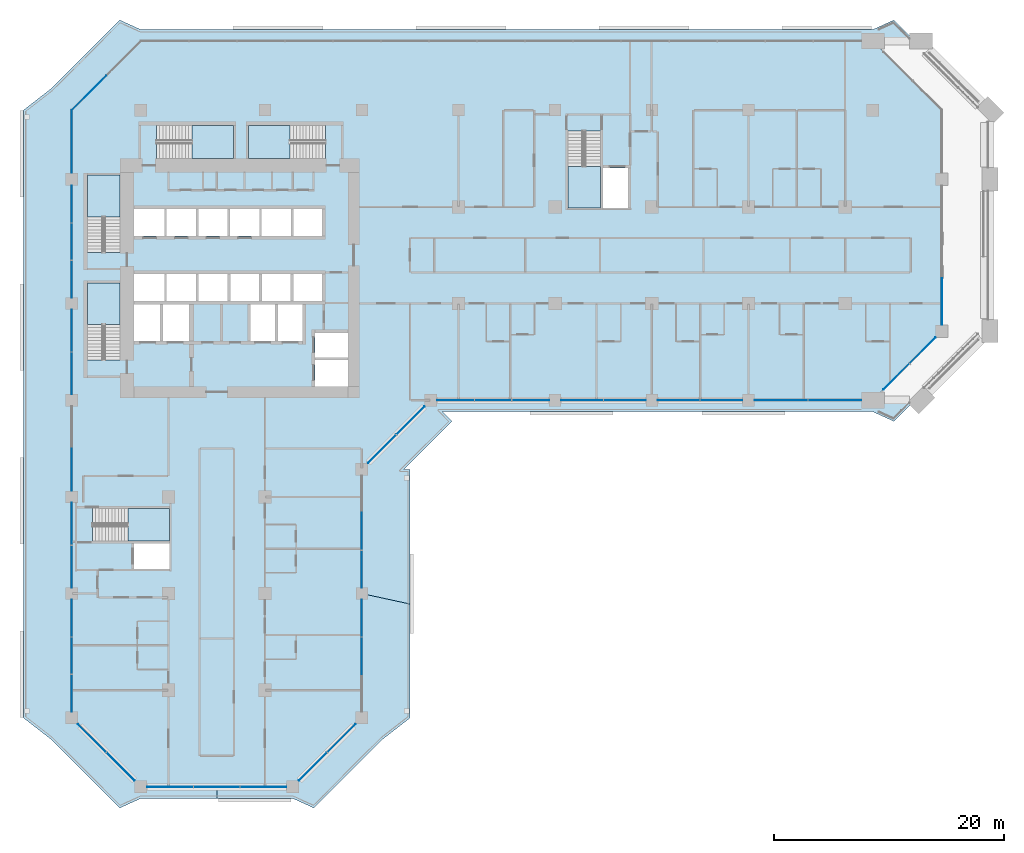
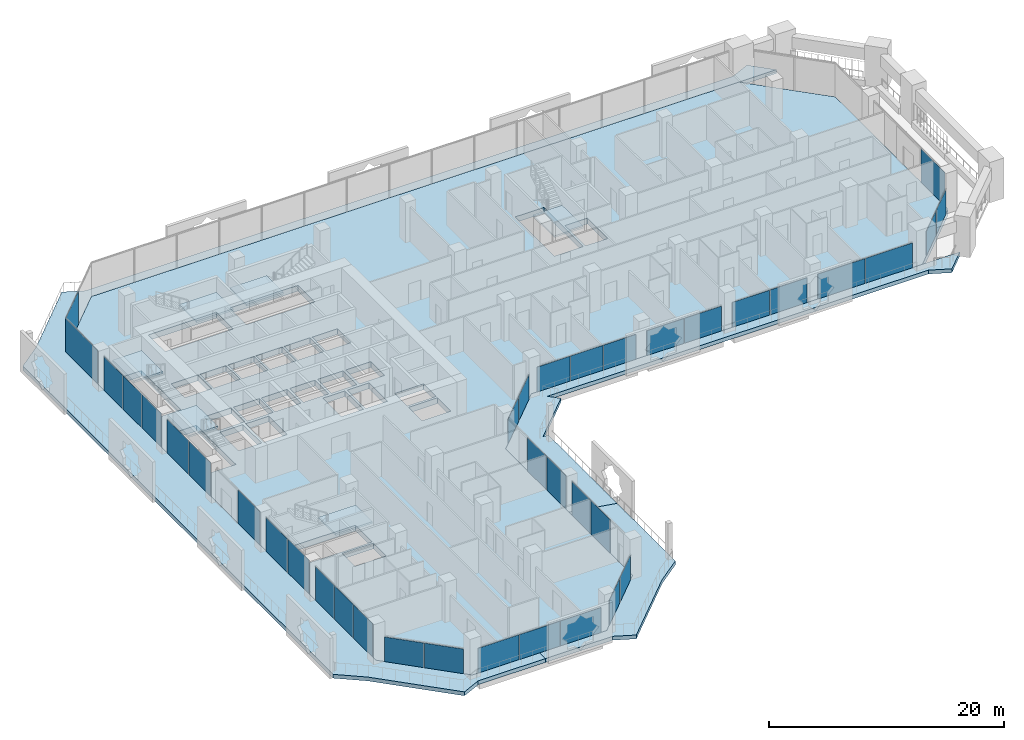
# One storey, part 11 of 25: 38 plates, 10 slabs, 16 elements without a shape of their own.
"""IFC4 building model written with IfcOpenShell, lengths in metres."""

from ifc_helpers import new_model, si_unit, direction, frame, origin, origin_2d, place, context, subcontext, project, spatial, polyline, rectangle, outline, extrude, material, layer, layer_set, type_object, element, aggregate, save


model = new_model("IFC4")

# Units and contexts
model_context = context("Model", 3, precision=1e-05, world=origin(), true_north=direction((0.0, 1.0)))
body_context = subcontext(model_context, "Body", "Model", "MODEL_VIEW")
ifc_project = project(units=[si_unit("LENGTHUNIT", "METRE"), si_unit("AREAUNIT", "SQUARE_METRE"), si_unit("VOLUMEUNIT", "CUBIC_METRE"), si_unit("PLANEANGLEUNIT", "RADIAN"), si_unit("MASSUNIT", "GRAM", prefix="KILO")], contexts=[model_context])

# Site, building, storey
site_placement = place(None, origin())
site = spatial("IfcSite", under=ifc_project, at=site_placement, CompositionType="ELEMENT")
building_placement = place(site_placement, origin())
building = spatial("IfcBuilding", under=site, at=building_placement, Name="Kawkab Arch Medical Tower", CompositionType="ELEMENT")
storey_placement = place(building_placement, frame((0.0, 0.0, 111.39990234375)))
storey = spatial("IfcBuildingStorey", under=building, at=storey_placement, Name="L25", CompositionType="ELEMENT", Elevation=111.39990234375)

# Curtain wall, plates
ifc_material_1 = material(Name="Bronze anodised aluminium curtain wall frame", Category="aluminium")
ifc_layer_1 = layer(ifc_material_1, 0.159912109375)
ifc_layer_set_1 = layer_set([ifc_layer_1], Name="Bronze anodised aluminium curtain wall frame")
curtain_wall_type_1 = type_object("IfcCurtainWallType", Name="CW1 ward curtain wall", PredefinedType="NOTDEFINED", material=ifc_layer_set_1)
placement_1 = place(storey_placement, origin())
curtain_wall_1 = element("IfcCurtainWall", 1, at=placement_1, inside=storey, type_object=curtain_wall_type_1, Name="CW1 Ward curtain wall R01", PredefinedType="NOTDEFINED")
ifc_material_2 = material(Name="Tinted insulating glass, bronze low-e coating", Category="glass")
ifc_layer_2 = layer(ifc_material_2, 0.031982421875)
ifc_layer_set_2 = layer_set([ifc_layer_2], Name="Tinted insulating glass, bronze low-e coating")
plate_type_1 = type_object("IfcPlateType", Name="CW1 glazing unit 32", PredefinedType="CURTAIN_PANEL", material=ifc_layer_set_2)
plate_1_placement = place(storey_placement, frame((0.0, -2.72509765625, 0.0), z_axis=(0.0, 0.0, 1.0), x_axis=(0.0, -1.0, 0.0)))
plate_1 = element("IfcPlate", 2, at=plate_1_placement, type_object=plate_type_1, Name="CW1 glazing unit 1.1", PredefinedType="CURTAIN_PANEL", context=body_context, shape_type="SweptSolid", body=[
    extrude(rectangle(XDim=5.449951171875, YDim=0.031982421875, at=origin_2d()), origin(), (0.0, 0.0, 1.0), 3.47998046875),
])
plate_2_placement = place(storey_placement, frame((0.0, -8.15576171875, 0.0), z_axis=(0.0, 0.0, 1.0), x_axis=(0.0, -1.0, 0.0)))
plate_2 = element("IfcPlate", 3, at=plate_2_placement, type_object=plate_type_1, Name="CW1 glazing unit 2.1", PredefinedType="CURTAIN_PANEL", context=body_context, shape_type="SweptSolid", body=[
    extrude(rectangle(XDim=3.211669921875, YDim=0.031982421875, at=origin_2d()), origin(), (0.0, 0.0, 1.0), 3.47998046875),
])
plate_3_placement = place(storey_placement, frame((0.0, -11.41259765625, 0.0), z_axis=(0.0, 0.0, 1.0), x_axis=(0.0, -1.0, 0.0)))
plate_3 = element("IfcPlate", 4, at=plate_3_placement, type_object=plate_type_1, Name="CW1 glazing unit 2.2", PredefinedType="CURTAIN_PANEL", context=body_context, shape_type="SweptSolid", body=[
    extrude(rectangle(XDim=3.181640625, YDim=0.031982421875, at=origin_2d()), origin(), (0.0, 0.0, 1.0), 3.47998046875),
])
plate_4_placement = place(storey_placement, frame((0.0, -14.669189453125, 0.0), z_axis=(0.0, 0.0, 1.0), x_axis=(0.0, -1.0, 0.0)))
plate_4 = element("IfcPlate", 5, at=plate_4_placement, type_object=plate_type_1, Name="CW1 glazing unit 2.3", PredefinedType="CURTAIN_PANEL", context=body_context, shape_type="SweptSolid", body=[
    extrude(rectangle(XDim=3.211669921875, YDim=0.031982421875, at=origin_2d()), origin(), (0.0, 0.0, 1.0), 3.47998046875),
])
plate_5_placement = place(storey_placement, frame((0.0, -19.1474609375, 0.0), z_axis=(0.0, 0.0, 1.0), x_axis=(0.0, -1.0, 0.0)))
plate_5 = element("IfcPlate", 6, at=plate_5_placement, type_object=plate_type_1, Name="CW1 glazing unit 3.1", PredefinedType="CURTAIN_PANEL", context=body_context, shape_type="SweptSolid", body=[
    extrude(rectangle(XDim=3.64501953125, YDim=0.031982421875, at=origin_2d()), origin(), (0.0, 0.0, 1.0), 3.47998046875),
])
plate_6_placement = place(storey_placement, frame((0.0, -22.8525390625, 0.0), z_axis=(0.0, 0.0, 1.0), x_axis=(0.0, -1.0, 0.0)))
plate_6 = element("IfcPlate", 7, at=plate_6_placement, type_object=plate_type_1, Name="CW1 glazing unit 3.2", PredefinedType="CURTAIN_PANEL", context=body_context, shape_type="SweptSolid", body=[
    extrude(rectangle(XDim=3.64501953125, YDim=0.031982421875, at=origin_2d()), origin(), (0.0, 0.0, 1.0), 3.47998046875),
])
plate_7_placement = place(storey_placement, frame((0.0, -31.237548828125, 0.0), z_axis=(0.0, 0.0, 1.0), x_axis=(0.0, -1.0, 0.0)))
plate_7 = element("IfcPlate", 8, at=plate_7_placement, type_object=plate_type_1, Name="CW1 glazing unit 4.2", PredefinedType="CURTAIN_PANEL", context=body_context, shape_type="SweptSolid", body=[
    extrude(rectangle(XDim=3.675048828125, YDim=0.031982421875, at=origin_2d()), origin(), (0.0, 0.0, 1.0), 3.47998046875),
])
plate_8_placement = place(storey_placement, frame((0.0, -35.947509765625, 0.0), z_axis=(0.0, 0.0, 1.0), x_axis=(0.0, -1.0, 0.0)))
plate_8 = element("IfcPlate", 9, at=plate_8_placement, type_object=plate_type_1, Name="CW1 glazing unit 5.1", PredefinedType="CURTAIN_PANEL", context=body_context, shape_type="SweptSolid", body=[
    extrude(rectangle(XDim=3.64501953125, YDim=0.031982421875, at=origin_2d()), origin(), (0.0, 0.0, 1.0), 3.47998046875),
])
plate_9_placement = place(storey_placement, frame((0.0, -39.652587890625, 0.0), z_axis=(0.0, 0.0, 1.0), x_axis=(0.0, -1.0, 0.0)))
plate_9 = element("IfcPlate", 10, at=plate_9_placement, type_object=plate_type_1, Name="CW1 glazing unit 5.2", PredefinedType="CURTAIN_PANEL", context=body_context, shape_type="SweptSolid", body=[
    extrude(rectangle(XDim=3.64501953125, YDim=0.031982421875, at=origin_2d()), origin(), (0.0, 0.0, 1.0), 3.47998046875),
])
plate_10_placement = place(storey_placement, frame((0.0, -44.130859375, 0.0), z_axis=(0.0, 0.0, 1.0), x_axis=(0.0, -1.0, 0.0)))
plate_10 = element("IfcPlate", 11, at=plate_10_placement, type_object=plate_type_1, Name="CW1 glazing unit 6.1", PredefinedType="CURTAIN_PANEL", context=body_context, shape_type="SweptSolid", body=[
    extrude(rectangle(XDim=3.211669921875, YDim=0.031982421875, at=origin_2d()), origin(), (0.0, 0.0, 1.0), 3.47998046875),
])
plate_11_placement = place(storey_placement, frame((0.0, -47.387451171875, 0.0), z_axis=(0.0, 0.0, 1.0), x_axis=(0.0, -1.0, 0.0)))
plate_11 = element("IfcPlate", 12, at=plate_11_placement, type_object=plate_type_1, Name="CW1 glazing unit 6.2", PredefinedType="CURTAIN_PANEL", context=body_context, shape_type="SweptSolid", body=[
    extrude(rectangle(XDim=3.181640625, YDim=0.031982421875, at=origin_2d()), origin(), (0.0, 0.0, 1.0), 3.47998046875),
])
plate_12_placement = place(storey_placement, frame((0.0, -50.644287109375, 0.0), z_axis=(0.0, 0.0, 1.0), x_axis=(0.0, -1.0, 0.0)))
plate_12 = element("IfcPlate", 13, at=plate_12_placement, type_object=plate_type_1, Name="CW1 glazing unit 6.3", PredefinedType="CURTAIN_PANEL", context=body_context, shape_type="SweptSolid", body=[
    extrude(rectangle(XDim=3.211669921875, YDim=0.031982421875, at=origin_2d()), origin(), (0.0, 0.0, 1.0), 3.47998046875),
])
aggregate(curtain_wall_1, [plate_1, plate_2, plate_3, plate_4, plate_5, plate_6, plate_7, plate_8, plate_9, plate_10, plate_11, plate_12])

curtain_wall_2 = element("IfcCurtainWall", 14, at=placement_1, inside=storey, type_object=curtain_wall_type_1, Name="CW1 Ward curtain wall R03", PredefinedType="NOTDEFINED")
plate_13_placement = place(storey_placement, frame((8.5517578125, -58.800048828125, 0.0), z_axis=(0.0, 0.0, 1.0), x_axis=(1.0, 0.0, 0.0)))
plate_13 = element("IfcPlate", 15, at=plate_13_placement, type_object=plate_type_1, Name="CW1 glazing unit 1.1", PredefinedType="CURTAIN_PANEL", context=body_context, shape_type="SweptSolid", body=[
    extrude(rectangle(XDim=4.00341796875, YDim=0.031982421875, at=origin_2d()), origin(), (0.0, 0.0, 1.0), 2.580078125),
])
plate_14_placement = place(storey_placement, frame((12.60009765625, -58.800048828125, 0.0), z_axis=(0.0, 0.0, 1.0), x_axis=(1.0, 0.0, 0.0)))
plate_14 = element("IfcPlate", 16, at=plate_14_placement, type_object=plate_type_1, Name="CW1 glazing unit 1.2", PredefinedType="CURTAIN_PANEL", context=body_context, shape_type="SweptSolid", body=[
    extrude(rectangle(XDim=3.973388671875, YDim=0.031982421875, at=origin_2d()), origin(), (0.0, 0.0, 1.0), 2.580078125),
])
plate_15_placement = place(storey_placement, frame((16.6484375, -58.800048828125, 0.0), z_axis=(0.0, 0.0, 1.0), x_axis=(1.0, 0.0, 0.0)))
plate_15 = element("IfcPlate", 17, at=plate_15_placement, type_object=plate_type_1, Name="CW1 glazing unit 1.3", PredefinedType="CURTAIN_PANEL", context=body_context, shape_type="SweptSolid", body=[
    extrude(rectangle(XDim=4.00341796875, YDim=0.031982421875, at=origin_2d()), origin(), (0.0, 0.0, 1.0), 2.580078125),
])
aggregate(curtain_wall_2, [plate_13, plate_14, plate_15])

curtain_wall_3 = element("IfcCurtainWall", 18, at=placement_1, inside=storey, type_object=curtain_wall_type_1, Name="CW1 Ward curtain wall R05", PredefinedType="NOTDEFINED")
plate_16_placement = place(storey_placement, frame((25.199951171875, -47.402587890625, 0.0), z_axis=(0.0, 0.0, 1.0), x_axis=(0.0, 1.0, 0.0)))
plate_16 = element("IfcPlate", 19, at=plate_16_placement, type_object=plate_type_1, Name="CW1 glazing unit 1.2", PredefinedType="CURTAIN_PANEL", context=body_context, shape_type="SweptSolid", body=[
    extrude(rectangle(XDim=3.211669921875, YDim=0.031982421875, at=origin_2d()), origin(), (0.0, 0.0, 1.0), 3.47998046875),
])
plate_17_placement = place(storey_placement, frame((25.199951171875, -44.130859375, 0.0), z_axis=(0.0, 0.0, 1.0), x_axis=(0.0, 1.0, 0.0)))
plate_17 = element("IfcPlate", 20, at=plate_17_placement, type_object=plate_type_1, Name="CW1 glazing unit 1.3", PredefinedType="CURTAIN_PANEL", context=body_context, shape_type="SweptSolid", body=[
    extrude(rectangle(XDim=3.211669921875, YDim=0.031982421875, at=origin_2d()), origin(), (0.0, 0.0, 1.0), 3.47998046875),
])
plate_18_placement = place(storey_placement, frame((25.199951171875, -39.869140625, 0.0), z_axis=(0.0, 0.0, 1.0), x_axis=(0.0, 1.0, 0.0)))
plate_18 = element("IfcPlate", 21, at=plate_18_placement, type_object=plate_type_1, Name="CW1 glazing unit 2.1", PredefinedType="CURTAIN_PANEL", context=body_context, shape_type="SweptSolid", body=[
    extrude(rectangle(XDim=3.211669921875, YDim=0.031982421875, at=origin_2d()), origin(), (0.0, 0.0, 1.0), 3.47998046875),
])
plate_19_placement = place(storey_placement, frame((25.199951171875, -36.597412109375, 0.0), z_axis=(0.0, 0.0, 1.0), x_axis=(0.0, 1.0, 0.0)))
plate_19 = element("IfcPlate", 22, at=plate_19_placement, type_object=plate_type_1, Name="CW1 glazing unit 2.2", PredefinedType="CURTAIN_PANEL", context=body_context, shape_type="SweptSolid", body=[
    extrude(rectangle(XDim=3.211669921875, YDim=0.031982421875, at=origin_2d()), origin(), (0.0, 0.0, 1.0), 3.47998046875),
])
aggregate(curtain_wall_3, [plate_16, plate_17, plate_18, plate_19])

curtain_wall_4 = element("IfcCurtainWall", 23, at=placement_1, inside=storey, type_object=curtain_wall_type_1, Name="CW1 Ward curtain wall R07", PredefinedType="NOTDEFINED")
plate_20_placement = place(storey_placement, frame((33.355712890625, -25.199951171875, 0.0), z_axis=(0.0, 0.0, 1.0), x_axis=(1.0, 0.0, 0.0)))
plate_20 = element("IfcPlate", 24, at=plate_20_placement, type_object=plate_type_1, Name="CW1 glazing unit 1.1", PredefinedType="CURTAIN_PANEL", context=body_context, shape_type="SweptSolid", body=[
    extrude(rectangle(XDim=3.211669921875, YDim=0.031982421875, at=origin_2d()), origin(), (0.0, 0.0, 1.0), 2.580078125),
])
plate_21_placement = place(storey_placement, frame((36.612548828125, -25.199951171875, 0.0), z_axis=(0.0, 0.0, 1.0), x_axis=(1.0, 0.0, 0.0)))
plate_21 = element("IfcPlate", 25, at=plate_21_placement, type_object=plate_type_1, Name="CW1 glazing unit 1.2", PredefinedType="CURTAIN_PANEL", context=body_context, shape_type="SweptSolid", body=[
    extrude(rectangle(XDim=3.181640625, YDim=0.031982421875, at=origin_2d()), origin(), (0.0, 0.0, 1.0), 2.580078125),
])
plate_22_placement = place(storey_placement, frame((39.869140625, -25.199951171875, 0.0), z_axis=(0.0, 0.0, 1.0), x_axis=(1.0, 0.0, 0.0)))
plate_22 = element("IfcPlate", 26, at=plate_22_placement, type_object=plate_type_1, Name="CW1 glazing unit 1.3", PredefinedType="CURTAIN_PANEL", context=body_context, shape_type="SweptSolid", body=[
    extrude(rectangle(XDim=3.211669921875, YDim=0.031982421875, at=origin_2d()), origin(), (0.0, 0.0, 1.0), 2.580078125),
])
plate_23_placement = place(storey_placement, frame((44.347412109375, -25.199951171875, 0.0), z_axis=(0.0, 0.0, 1.0), x_axis=(1.0, 0.0, 0.0)))
plate_23 = element("IfcPlate", 27, at=plate_23_placement, type_object=plate_type_1, Name="CW1 glazing unit 2.1", PredefinedType="CURTAIN_PANEL", context=body_context, shape_type="SweptSolid", body=[
    extrude(rectangle(XDim=3.64501953125, YDim=0.031982421875, at=origin_2d()), origin(), (0.0, 0.0, 1.0), 2.580078125),
])
plate_24_placement = place(storey_placement, frame((48.052490234375, -25.199951171875, 0.0), z_axis=(0.0, 0.0, 1.0), x_axis=(1.0, 0.0, 0.0)))
plate_24 = element("IfcPlate", 28, at=plate_24_placement, type_object=plate_type_1, Name="CW1 glazing unit 2.2", PredefinedType="CURTAIN_PANEL", context=body_context, shape_type="SweptSolid", body=[
    extrude(rectangle(XDim=3.64501953125, YDim=0.031982421875, at=origin_2d()), origin(), (0.0, 0.0, 1.0), 2.580078125),
])
plate_25_placement = place(storey_placement, frame((52.74755859375, -25.199951171875, 0.0), z_axis=(0.0, 0.0, 1.0), x_axis=(1.0, 0.0, 0.0)))
plate_25 = element("IfcPlate", 29, at=plate_25_placement, type_object=plate_type_1, Name="CW1 glazing unit 3.1", PredefinedType="CURTAIN_PANEL", context=body_context, shape_type="SweptSolid", body=[
    extrude(rectangle(XDim=3.64501953125, YDim=0.031982421875, at=origin_2d()), origin(), (0.0, 0.0, 1.0), 2.580078125),
])
plate_26_placement = place(storey_placement, frame((56.452392578125, -25.199951171875, 0.0), z_axis=(0.0, 0.0, 1.0), x_axis=(1.0, 0.0, 0.0)))
plate_26 = element("IfcPlate", 30, at=plate_26_placement, type_object=plate_type_1, Name="CW1 glazing unit 3.2", PredefinedType="CURTAIN_PANEL", context=body_context, shape_type="SweptSolid", body=[
    extrude(rectangle(XDim=3.64501953125, YDim=0.031982421875, at=origin_2d()), origin(), (0.0, 0.0, 1.0), 2.580078125),
])
plate_27_placement = place(storey_placement, frame((61.628662109375, -25.199951171875, 0.0), z_axis=(0.0, 0.0, 1.0), x_axis=(1.0, 0.0, 0.0)))
plate_27 = element("IfcPlate", 31, at=plate_27_placement, type_object=plate_type_1, Name="CW1 glazing unit 4.1", PredefinedType="CURTAIN_PANEL", context=body_context, shape_type="SweptSolid", body=[
    extrude(rectangle(XDim=4.607421875, YDim=0.031982421875, at=origin_2d()), origin(), (0.0, 0.0, 1.0), 2.580078125),
])
plate_28_placement = place(storey_placement, frame((66.296142578125, -25.199951171875, 0.0), z_axis=(0.0, 0.0, 1.0), x_axis=(1.0, 0.0, 0.0)))
plate_28 = element("IfcPlate", 32, at=plate_28_placement, type_object=plate_type_1, Name="CW1 glazing unit 4.2", PredefinedType="CURTAIN_PANEL", context=body_context, shape_type="SweptSolid", body=[
    extrude(rectangle(XDim=4.607421875, YDim=0.031982421875, at=origin_2d()), origin(), (0.0, 0.0, 1.0), 2.580078125),
])
aggregate(curtain_wall_4, [plate_20, plate_21, plate_22, plate_23, plate_24, plate_25, plate_26, plate_27, plate_28])

# Curtain wall, plate
curtain_wall_5 = element("IfcCurtainWall", 33, at=placement_1, inside=storey, type_object=curtain_wall_type_1, Name="CW1 Ward curtain wall R09", PredefinedType="NOTDEFINED")
plate_29_placement = place(storey_placement, frame((75.60009765625, -16.63330078125, 0.0), z_axis=(0.0, 0.0, 1.0), x_axis=(0.0, 1.0, 0.0)))
plate_29 = element("IfcPlate", 34, at=plate_29_placement, type_object=plate_type_1, Name="CW1 glazing unit 1.1", PredefinedType="CURTAIN_PANEL", context=body_context, shape_type="SweptSolid", body=[
    extrude(rectangle(XDim=4.033447265625, YDim=0.031982421875, at=origin_2d()), origin(), (0.0, 0.0, 1.0), 3.47998046875),
])
aggregate(curtain_wall_5, [plate_29])

# Curtain wall, plates
ifc_material_3 = material(Name="Bronze anodised aluminium curtain wall frame", Category="aluminium")
ifc_layer_3 = layer(ifc_material_3, 0.159912109375)
ifc_layer_set_3 = layer_set([ifc_layer_3], Name="Bronze anodised aluminium curtain wall frame")
curtain_wall_type_2 = type_object("IfcCurtainWallType", Name="CW2 chamfer curtain wall", PredefinedType="NOTDEFINED", material=ifc_layer_set_3)
curtain_wall_6 = element("IfcCurtainWall", 35, at=placement_1, inside=storey, type_object=curtain_wall_type_2, Name="CW2 Chamfer curtain wall R02", PredefinedType="NOTDEFINED")
ifc_material_4 = material(Name="Tinted insulating glass, bronze low-e coating", Category="glass")
ifc_layer_4 = layer(ifc_material_4, 0.031982421875)
ifc_layer_set_4 = layer_set([ifc_layer_4], Name="Tinted insulating glass, bronze low-e coating")
plate_type_2 = type_object("IfcPlateType", Name="CW2 glazing unit 32", PredefinedType="CURTAIN_PANEL", material=ifc_layer_set_4)
plate_30_placement = place(storey_placement, frame((1.764404296875, -54.564453125, 0.0), z_axis=(0.0, 0.0, 1.0), x_axis=(0.707106781187, -0.707106781187, 0.0)))
plate_30 = element("IfcPlate", 36, at=plate_30_placement, type_object=plate_type_2, Name="CW2 glazing unit 1.1", PredefinedType="CURTAIN_PANEL", context=body_context, shape_type="SweptSolid", body=[
    extrude(rectangle(XDim=3.434814453125, YDim=0.031982421875, at=origin_2d()), origin(), (0.0, 0.0, 1.0), 2.56005859375),
])
plate_31_placement = place(storey_placement, frame((4.235595703125, -57.03564453125, 0.0), z_axis=(0.0, 0.0, 1.0), x_axis=(0.707106781187, -0.707106781187, 0.0)))
plate_31 = element("IfcPlate", 37, at=plate_31_placement, type_object=plate_type_2, Name="CW2 glazing unit 1.2", PredefinedType="CURTAIN_PANEL", context=body_context, shape_type="SweptSolid", body=[
    extrude(rectangle(XDim=3.434814453125, YDim=0.031982421875, at=origin_2d()), origin(), (0.0, 0.0, 1.0), 2.56005859375),
])
aggregate(curtain_wall_6, [plate_30, plate_31])

curtain_wall_7 = element("IfcCurtainWall", 38, at=placement_1, inside=storey, type_object=curtain_wall_type_2, Name="CW2 Chamfer curtain wall R04", PredefinedType="NOTDEFINED")
plate_32_placement = place(storey_placement, frame((20.96435546875, -57.03564453125, 0.0), z_axis=(0.0, 0.0, 1.0), x_axis=(0.707106781187, 0.707106781187, 0.0)))
plate_32 = element("IfcPlate", 39, at=plate_32_placement, type_object=plate_type_2, Name="CW2 glazing unit 1.1", PredefinedType="CURTAIN_PANEL", context=body_context, shape_type="SweptSolid", body=[
    extrude(rectangle(XDim=3.434814453125, YDim=0.031982421875, at=origin_2d()), origin(), (0.0, 0.0, 1.0), 2.56005859375),
])
plate_33_placement = place(storey_placement, frame((23.435546875, -54.564453125, 0.0), z_axis=(0.0, 0.0, 1.0), x_axis=(0.707106781187, 0.707106781187, 0.0)))
plate_33 = element("IfcPlate", 40, at=plate_33_placement, type_object=plate_type_2, Name="CW2 glazing unit 1.2", PredefinedType="CURTAIN_PANEL", context=body_context, shape_type="SweptSolid", body=[
    extrude(rectangle(XDim=3.434814453125, YDim=0.031982421875, at=origin_2d()), origin(), (0.0, 0.0, 1.0), 2.56005859375),
])
aggregate(curtain_wall_7, [plate_32, plate_33])

curtain_wall_8 = element("IfcCurtainWall", 41, at=placement_1, inside=storey, type_object=curtain_wall_type_2, Name="CW2 Chamfer curtain wall R06", PredefinedType="NOTDEFINED")
plate_34_placement = place(storey_placement, frame((26.96435546875, -29.435546875, 0.0), z_axis=(0.0, 0.0, 1.0), x_axis=(0.707106781187, 0.707106781187, 0.0)))
plate_34 = element("IfcPlate", 42, at=plate_34_placement, type_object=plate_type_2, Name="CW2 glazing unit 1.1", PredefinedType="CURTAIN_PANEL", context=body_context, shape_type="SweptSolid", body=[
    extrude(rectangle(XDim=3.434814453125, YDim=0.031982421875, at=origin_2d()), origin(), (0.0, 0.0, 1.0), 2.56005859375),
])
plate_35_placement = place(storey_placement, frame((29.435546875, -26.96435546875, 0.0), z_axis=(0.0, 0.0, 1.0), x_axis=(0.707106781187, 0.707106781187, 0.0)))
plate_35 = element("IfcPlate", 43, at=plate_35_placement, type_object=plate_type_2, Name="CW2 glazing unit 1.2", PredefinedType="CURTAIN_PANEL", context=body_context, shape_type="SweptSolid", body=[
    extrude(rectangle(XDim=3.434814453125, YDim=0.031982421875, at=origin_2d()), origin(), (0.0, 0.0, 1.0), 2.56005859375),
])
aggregate(curtain_wall_8, [plate_34, plate_35])

curtain_wall_9 = element("IfcCurtainWall", 44, at=placement_1, inside=storey, type_object=curtain_wall_type_2, Name="CW2 Chamfer curtain wall R08", PredefinedType="NOTDEFINED")
plate_36_placement = place(storey_placement, frame((71.649658203125, -23.150390625, 0.0), z_axis=(0.0, 0.0, 1.0), x_axis=(0.707106781187, 0.707106781187, 0.0)))
plate_36 = element("IfcPlate", 45, at=plate_36_placement, type_object=plate_type_2, Name="CW2 glazing unit 1.1", PredefinedType="CURTAIN_PANEL", context=body_context, shape_type="SweptSolid", body=[
    extrude(rectangle(XDim=3.165771484375, YDim=0.031982421875, at=origin_2d()), origin(), (0.0, 0.0, 1.0), 2.56005859375),
])
plate_37_placement = place(storey_placement, frame((73.9306640625, -20.869384765625, 0.0), z_axis=(0.0, 0.0, 1.0), x_axis=(0.707106781187, 0.707106781187, 0.0)))
plate_37 = element("IfcPlate", 46, at=plate_37_placement, type_object=plate_type_2, Name="CW2 glazing unit 1.2", PredefinedType="CURTAIN_PANEL", context=body_context, shape_type="SweptSolid", body=[
    extrude(rectangle(XDim=3.165771484375, YDim=0.031982421875, at=origin_2d()), origin(), (0.0, 0.0, 1.0), 2.56005859375),
])
aggregate(curtain_wall_9, [plate_36, plate_37])

# Curtain wall, plate
curtain_wall_10 = element("IfcCurtainWall", 47, at=placement_1, inside=storey, type_object=curtain_wall_type_2, Name="CW2 Chamfer curtain wall R12", PredefinedType="NOTDEFINED")
plate_38_placement = place(storey_placement, frame((1.5, 1.5, 0.0), z_axis=(0.0, 0.0, 1.0), x_axis=(-0.707106781187, -0.707106781187, 0.0)))
plate_38 = element("IfcPlate", 48, at=plate_38_placement, type_object=plate_type_2, Name="CW2 glazing unit 2.1", PredefinedType="CURTAIN_PANEL", context=body_context, shape_type="SweptSolid", body=[
    extrude(rectangle(XDim=4.24267578125, YDim=0.031982421875, at=origin_2d()), origin(), (0.0, 0.0, 1.0), 3.4599609375),
])
aggregate(curtain_wall_10, [plate_38])

# Stair, slab
ifc_material_5 = material(Name="Concrete C40/50", Category="concrete")
stair_type = type_object("IfcStairType", Name="Exit stair 1350", PredefinedType="HALF_TURN_STAIR", material=ifc_material_5)
stair_1 = element("IfcStair", 49, at=placement_1, inside=storey, type_object=stair_type, Name="L25 Exit stair ST1", PredefinedType="HALF_TURN_STAIR")
ifc_material_6 = material(Name="Concrete C40/50", Category="concrete")
ifc_layer_5 = layer(ifc_material_6, 0.199951171875)
ifc_layer_set_5 = layer_set([ifc_layer_5], Name="Concrete C40/50")
slab_type_1 = type_object("IfcSlabType", Name="Exit stair landing 200", PredefinedType="LANDING", material=ifc_layer_set_5)
placement_2 = place(storey_placement, frame((0.0, 0.0, 1.900146484375)))
slab_1 = element("IfcSlab", 50, at=placement_2, type_object=slab_type_1, Name="ST1 landing 1", PredefinedType="LANDING", context=body_context, shape_type="SweptSolid", body=[
    extrude(outline(polyline([(4.199951171875, -9.27001953125), (4.199951171875, -5.64990234375), (1.35009765625, -5.64990234375), (1.35009765625, -9.27001953125), (4.199951171875, -9.27001953125)])), origin(), (0.0, 0.0, 1.0), 0.199951171875),
])
aggregate(stair_1, [slab_1])

stair_2 = element("IfcStair", 51, at=placement_1, inside=storey, type_object=stair_type, Name="L25 Exit stair ST2", PredefinedType="HALF_TURN_STAIR")
slab_2 = element("IfcSlab", 52, at=placement_2, type_object=slab_type_1, Name="ST2 landing 1", PredefinedType="LANDING", context=body_context, shape_type="SweptSolid", body=[
    extrude(outline(polyline([(4.199951171875, -18.6201171875), (4.199951171875, -15.0), (1.35009765625, -15.0), (1.35009765625, -18.6201171875), (4.199951171875, -18.6201171875)])), origin(), (0.0, 0.0, 1.0), 0.199951171875),
])
aggregate(stair_2, [slab_2])

stair_3 = element("IfcStair", 53, at=placement_1, inside=storey, type_object=stair_type, Name="L25 Exit stair ST3", PredefinedType="HALF_TURN_STAIR")
slab_3 = element("IfcSlab", 54, at=placement_2, type_object=slab_type_1, Name="ST3 landing 1", PredefinedType="LANDING", context=body_context, shape_type="SweptSolid", body=[
    extrude(outline(polyline([(10.429931640625, -4.199951171875), (14.050048828125, -4.199951171875), (14.050048828125, -1.35009765625), (10.429931640625, -1.35009765625), (10.429931640625, -4.199951171875)])), origin(), (0.0, 0.0, 1.0), 0.199951171875),
])
aggregate(stair_3, [slab_3])

stair_4 = element("IfcStair", 55, at=placement_1, inside=storey, type_object=stair_type, Name="L25 Exit stair ST4", PredefinedType="HALF_TURN_STAIR")
slab_4 = element("IfcSlab", 56, at=placement_2, type_object=slab_type_1, Name="ST4 landing 1", PredefinedType="LANDING", context=body_context, shape_type="SweptSolid", body=[
    extrude(outline(polyline([(18.969970703125, -1.35009765625), (15.35009765625, -1.35009765625), (15.35009765625, -4.199951171875), (18.969970703125, -4.199951171875), (18.969970703125, -1.35009765625)])), origin(), (0.0, 0.0, 1.0), 0.199951171875),
])
aggregate(stair_4, [slab_4])

stair_5 = element("IfcStair", 57, at=placement_1, inside=storey, type_object=stair_type, Name="L25 Exit stair ST5", PredefinedType="HALF_TURN_STAIR")
slab_5 = element("IfcSlab", 58, at=placement_2, type_object=slab_type_1, Name="ST5 landing 1", PredefinedType="LANDING", context=body_context, shape_type="SweptSolid", body=[
    extrude(outline(polyline([(43.10009765625, -4.8798828125), (43.10009765625, -8.5), (45.949951171875, -8.5), (45.949951171875, -4.8798828125), (43.10009765625, -4.8798828125)])), origin(), (0.0, 0.0, 1.0), 0.199951171875),
])
aggregate(stair_5, [slab_5])

stair_6 = element("IfcStair", 59, at=placement_1, inside=storey, type_object=stair_type, Name="L25 Exit stair ST6", PredefinedType="HALF_TURN_STAIR")
slab_6 = element("IfcSlab", 60, at=placement_2, type_object=slab_type_1, Name="ST6 landing 1", PredefinedType="LANDING", context=body_context, shape_type="SweptSolid", body=[
    extrude(outline(polyline([(4.8798828125, -37.449951171875), (8.5, -37.449951171875), (8.5, -34.60009765625), (4.8798828125, -34.60009765625), (4.8798828125, -37.449951171875)])), origin(), (0.0, 0.0, 1.0), 0.199951171875),
])
aggregate(stair_6, [slab_6])

# Slabs
ifc_material_7 = material(Name="Concrete C45/55", Category="concrete")
ifc_layer_6 = layer(ifc_material_7, 0.60009765625)
ifc_layer_set_6 = layer_set([ifc_layer_6], Name="Concrete C45/55")
slab_type_2 = type_object("IfcSlabType", Name="Flat plate 600 C45/55", PredefinedType="FLOOR", material=ifc_layer_set_6)
slab_7_placement = place(storey_placement, frame((0.0, 0.0, -0.599853515625)))
element("IfcSlab", 61, at=slab_7_placement, inside=storey, type_object=slab_type_2, Name="Floor slab L25", PredefinedType="FLOOR", context=body_context, shape_type="SweptSolid", body=[
    extrude(outline(polyline([(6.0, 6.0), (69.60009765625, 6.0), (75.60009765625, 0.0), (75.60009765625, -19.199951171875), (69.60009765625, -25.199951171875), (31.199951171875, -25.199951171875), (25.199951171875, -31.199951171875), (25.199951171875, -52.800048828125), (19.199951171875, -58.800048828125), (6.0, -58.800048828125), (0.0, -52.800048828125), (0.0, 0.0), (6.0, 6.0)]), holes=[polyline([(5.425048828125, -37.64990234375), (5.425048828125, -39.85009765625), (8.5, -39.85009765625), (8.5, -37.64990234375), (5.425048828125, -37.64990234375)]), polyline([(1.800048828125, -37.449951171875), (8.5, -37.449951171875), (8.5, -34.60009765625), (1.800048828125, -34.60009765625), (1.800048828125, -37.449951171875)]), polyline([(5.39990234375, -16.89990234375), (5.39990234375, -20.050048828125), (7.675048828125, -20.050048828125), (7.675048828125, -16.89990234375), (5.39990234375, -16.89990234375)]), polyline([(10.199951171875, -16.89990234375), (7.925048828125, -16.89990234375), (7.925048828125, -20.050048828125), (10.199951171875, -20.050048828125), (10.199951171875, -16.89990234375)]), polyline([(4.199951171875, -21.699951171875), (4.199951171875, -15.0), (1.35009765625, -15.0), (1.35009765625, -21.699951171875), (4.199951171875, -21.699951171875)]), polyline([(5.39990234375, -14.25), (5.39990234375, -16.60009765625), (8.050048828125, -16.60009765625), (8.050048828125, -14.25), (5.39990234375, -14.25)]), polyline([(8.25, -14.25), (8.25, -16.60009765625), (10.800048828125, -16.60009765625), (10.800048828125, -14.25), (8.25, -14.25)]), polyline([(13.52490234375, -16.60009765625), (13.52490234375, -14.25), (11.0, -14.25), (11.0, -16.60009765625), (13.52490234375, -16.60009765625)]), polyline([(5.39990234375, -8.60009765625), (5.39990234375, -10.949951171875), (8.050048828125, -10.949951171875), (8.050048828125, -8.60009765625), (5.39990234375, -8.60009765625)]), polyline([(8.25, -8.60009765625), (8.25, -10.949951171875), (10.800048828125, -10.949951171875), (10.800048828125, -8.60009765625), (8.25, -8.60009765625)]), polyline([(13.550048828125, -8.60009765625), (11.0, -8.60009765625), (11.0, -10.949951171875), (13.550048828125, -10.949951171875), (13.550048828125, -8.60009765625)]), polyline([(4.199951171875, -12.35009765625), (4.199951171875, -5.64990234375), (1.35009765625, -5.64990234375), (1.35009765625, -12.35009765625), (4.199951171875, -12.35009765625)]), polyline([(7.35009765625, -4.199951171875), (14.050048828125, -4.199951171875), (14.050048828125, -1.35009765625), (7.35009765625, -1.35009765625), (7.35009765625, -4.199951171875)]), polyline([(24.0, -21.72509765625), (21.14990234375, -21.72509765625), (21.14990234375, -24.0), (24.0, -24.0), (24.0, -21.72509765625)]), polyline([(24.0, -21.47509765625), (24.0, -19.35009765625), (21.14990234375, -19.35009765625), (21.14990234375, -21.47509765625), (24.0, -21.47509765625)]), polyline([(17.675048828125, -16.89990234375), (15.52490234375, -16.89990234375), (15.52490234375, -20.050048828125), (17.675048828125, -20.050048828125), (17.675048828125, -16.89990234375)]), polyline([(17.925048828125, -20.050048828125), (20.050048828125, -20.050048828125), (20.050048828125, -16.89990234375), (17.925048828125, -16.89990234375), (17.925048828125, -20.050048828125)]), polyline([(16.27490234375, -16.60009765625), (16.27490234375, -14.25), (13.77490234375, -14.25), (13.77490234375, -16.60009765625), (16.27490234375, -16.60009765625)]), polyline([(16.52490234375, -14.25), (16.52490234375, -16.60009765625), (19.02490234375, -16.60009765625), (19.02490234375, -14.25), (16.52490234375, -14.25)]), polyline([(19.27490234375, -14.25), (19.27490234375, -16.60009765625), (21.75, -16.60009765625), (21.75, -14.25), (19.27490234375, -14.25)]), polyline([(16.300048828125, -8.60009765625), (13.75, -8.60009765625), (13.75, -10.949951171875), (16.300048828125, -10.949951171875), (16.300048828125, -8.60009765625)]), polyline([(16.5, -10.949951171875), (19.050048828125, -10.949951171875), (19.050048828125, -8.60009765625), (16.5, -8.60009765625), (16.5, -10.949951171875)]), polyline([(19.25, -8.60009765625), (19.25, -10.949951171875), (21.75, -10.949951171875), (21.75, -8.60009765625), (19.25, -8.60009765625)]), polyline([(46.14990234375, -5.02490234375), (46.14990234375, -8.5), (48.35009765625, -8.5), (48.35009765625, -5.02490234375), (46.14990234375, -5.02490234375)]), polyline([(43.10009765625, -1.800048828125), (43.10009765625, -8.5), (45.949951171875, -8.5), (45.949951171875, -1.800048828125), (43.10009765625, -1.800048828125)]), polyline([(22.050048828125, -1.35009765625), (15.35009765625, -1.35009765625), (15.35009765625, -4.199951171875), (22.050048828125, -4.199951171875), (22.050048828125, -1.35009765625)])]), origin(), (0.0, 0.0, 1.0), 0.599853515625),
])
ifc_material_8 = material(Name="Concrete C40/50", Category="concrete")
ifc_layer_7 = layer(ifc_material_8, 0.39990234375)
ifc_layer_set_7 = layer_set([ifc_layer_7], Name="Concrete C40/50")
slab_type_3 = type_object("IfcSlabType", Name="Loggia slab 400", PredefinedType="FLOOR", material=ifc_layer_set_7)
placement_3 = place(storey_placement, frame((0.0, 0.0, -0.39990234375)))
element("IfcSlab", 62, at=placement_3, inside=storey, type_object=slab_type_3, Name="Loggia slab L25.1", PredefinedType="FLOOR", context=body_context, shape_type="SweptSolid", body=[
    extrude(outline(polyline([(19.199951171875, -59.800048828125), (12.60009765625, -59.800048828125), (12.60009765625, -58.800048828125), (19.199951171875, -58.800048828125), (25.199951171875, -52.800048828125), (25.199951171875, -42.0), (29.39990234375, -42.9130859375), (29.39990234375, -52.800048828125), (27.0380859375, -54.637939453125), (21.0380859375, -60.637939453125), (19.199951171875, -59.800048828125)])), origin(), (0.0, 0.0, 1.0), 0.39990234375),
])
element("IfcSlab", 63, at=placement_3, inside=storey, type_object=slab_type_3, Name="Loggia slab L25.2", PredefinedType="FLOOR", context=body_context, shape_type="SweptSolid", body=[
    extrude(outline(polyline([(-4.199951171875, -52.799072265625), (-4.199951171875, -0.0009765625), (-4.198974609375, -0.0009765625), (-4.198974609375, 0.0009765625), (-1.837890625, 1.837890625), (4.1630859375, 7.837890625), (6.0, 7.0), (69.60009765625, 7.0), (71.43701171875, 7.837890625), (73.27392578125, 6.0009765625), (69.6201171875, 6.0009765625), (69.6201171875, 6.0), (69.617919921875, 6.0), (69.616943359375, 5.998046875), (69.614990234375, 5.9970703125), (69.614990234375, 5.9951171875), (69.614013671875, 5.9951171875), (69.614013671875, 5.989013671875), (69.613037109375, 5.989013671875), (69.60009765625, 6.0), (6.0, 6.0), (-0.0009765625, 0.0), (-0.0009765625, -52.800048828125), (6.0, -58.800048828125), (12.59912109375, -58.800048828125), (12.59912109375, -58.801025390625), (12.60009765625, -58.801025390625), (12.60009765625, -59.799072265625), (12.59912109375, -59.799072265625), (12.59912109375, -59.800048828125), (6.0, -59.800048828125), (4.1630859375, -60.637939453125), (-1.837890625, -54.637939453125), (-4.198974609375, -52.801025390625), (-4.198974609375, -52.799072265625), (-4.199951171875, -52.799072265625)])), origin(), (0.0, 0.0, 1.0), 0.39990234375),
])
element("IfcSlab", 64, at=placement_3, inside=storey, type_object=slab_type_3, Name="Loggia slab L25.3", PredefinedType="FLOOR", context=body_context, shape_type="SweptSolid", body=[
    extrude(outline(polyline([(25.199951171875, -31.199951171875), (31.199951171875, -25.199951171875), (69.60009765625, -25.199951171875), (69.614013671875, -25.18798828125), (69.614013671875, -25.194091796875), (69.614990234375, -25.194091796875), (69.614990234375, -25.196044921875), (69.616943359375, -25.197998046875), (69.618896484375, -25.199951171875), (69.62109375, -25.199951171875), (69.62109375, -25.200927734375), (73.27490234375, -25.200927734375), (71.43798828125, -27.0380859375), (69.60009765625, -26.199951171875), (32.198974609375, -26.199951171875), (33.037109375, -27.0380859375), (28.8759765625, -31.199951171875), (29.39990234375, -31.199951171875), (29.39990234375, -42.9130859375), (25.199951171875, -42.0), (25.199951171875, -31.199951171875)])), origin(), (0.0, 0.0, 1.0), 0.39990234375),
])

save(model, "model.ifc")
